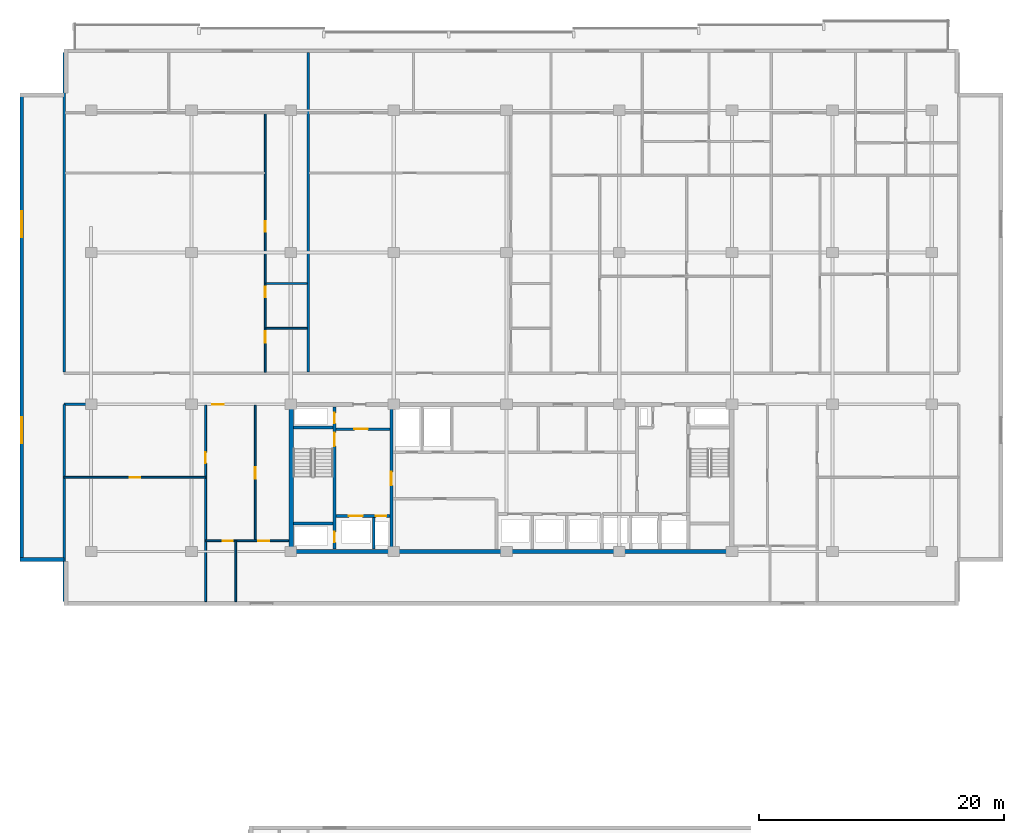
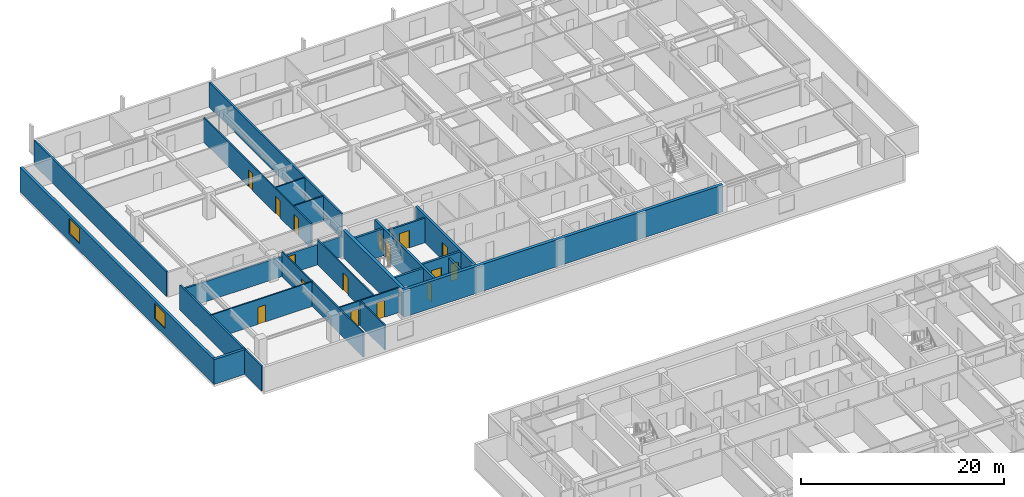
# One storey, part 10 of 21: 23 walls, 16 doors, 2 windows, 18 openings.
"""IFC4 building model written with IfcOpenShell, lengths in metres."""

from ifc_helpers import new_model, si_unit, direction, frame, frame_2d, origin, place, context, subcontext, project, spatial, rectangle, extrude, material, layer, layer_set, type_object, element, fill, save


model = new_model("IFC4")

# Units and contexts
model_context = context("Model", 3, precision=1e-05, world=origin(), true_north=direction((0.0, 1.0)))
body_context = subcontext(model_context, "Body", "Model", "MODEL_VIEW")
ifc_project = project(units=[si_unit("LENGTHUNIT", "METRE"), si_unit("AREAUNIT", "SQUARE_METRE"), si_unit("VOLUMEUNIT", "CUBIC_METRE"), si_unit("PLANEANGLEUNIT", "RADIAN"), si_unit("MASSUNIT", "GRAM", prefix="KILO")], contexts=[model_context])

# Site, building, storey
site_placement = place(None, origin())
site = spatial("IfcSite", under=ifc_project, at=site_placement, CompositionType="ELEMENT")
building_placement = place(site_placement, origin())
building = spatial("IfcBuilding", under=site, at=building_placement, Name="Korimba Cascade Residences", CompositionType="ELEMENT")
storey_placement = place(building_placement, frame((0.0, 0.0, 116.550048828125)))
storey = spatial("IfcBuildingStorey", under=building, at=storey_placement, Name="L33", CompositionType="ELEMENT", Elevation=116.550048828125)

# Wall, openings, windows
ifc_material_1 = material(Name="Precast concrete C40/50", Category="concrete")
ifc_layer_1 = layer(ifc_material_1, 0.300048828125)
ifc_layer_set_1 = layer_set([ifc_layer_1], Name="Precast concrete C40/50")
wall_type_1 = type_object("IfcWallType", Name="EW-STONE-300", PredefinedType="STANDARD", material=ifc_layer_set_1)
wall_1_placement = place(storey_placement, frame((54.14990234375, 92.60009765625, 0.0), z_axis=(0.0, 0.0, 1.0), x_axis=(0.0, -1.0, 0.0)))
wall_1 = element("IfcWall", 1, at=wall_1_placement, inside=storey, type_object=wall_type_1, Name="L33 T1 Perimeter Stone Wall E09", PredefinedType="STANDARD", context=body_context, shape_type="SweptSolid", body=[
    extrude(rectangle(XDim=38.2001953125, YDim=0.300048828125, at=frame_2d((19.10009765625, 0.0))), origin(), (0.0, 0.0, 1.0), 2.969970703125),
])
opening_1_placement = place(wall_1_placement, frame((9.64599609375, 0.0, 0.85009765625)))
opening_1 = element("IfcOpeningElement", 2, at=opening_1_placement, cuts=wall_1, Name="Opening W-03", PredefinedType="OPENING", context=body_context, shape_type="SweptSolid", body=[
    extrude(rectangle(XDim=2.10009765625, YDim=1.85009765625, at=frame_2d((1.050048828125, 0.925048828125))), frame((0.0, 0.16015625, 0.0), z_axis=(0.0, -1.0, 0.0), x_axis=(1.0, 0.0, 0.0)), (0.0, 0.0, 1.0), 0.320068359375),
])
opening_2_placement = place(wall_1_placement, frame((26.4541015625, 0.0, 0.85009765625)))
opening_2 = element("IfcOpeningElement", 3, at=opening_2_placement, cuts=wall_1, Name="Opening W-03", PredefinedType="OPENING", context=body_context, shape_type="SweptSolid", body=[
    extrude(rectangle(XDim=2.10009765625, YDim=1.85009765625, at=frame_2d((1.050048828125, 0.925048828125))), frame((0.0, 0.16015625, 0.0), z_axis=(0.0, -1.0, 0.0), x_axis=(1.0, 0.0, 0.0)), (0.0, 0.0, 1.0), 0.320068359375),
])
ifc_material_2 = material(Name="Double-Glazed Aluminium Window", Category="aluminium")
window_type = type_object("IfcWindowType", Name="WIN-CRN-2100", PartitioningType="DOUBLE_PANEL_HORIZONTAL", PredefinedType="WINDOW", material=ifc_material_2)
window_1_placement = place(opening_1_placement, origin())
window_1 = element("IfcWindow", 4, at=window_1_placement, inside=storey, type_object=window_type, Name="L33 T1 End View Window 9.1", OverallHeight=1.85009765625, OverallWidth=2.10009765625, PartitioningType="DOUBLE_PANEL_HORIZONTAL", PredefinedType="WINDOW", context=body_context, shape_type="SweptSolid", body=[
    extrude(rectangle(XDim=2.10009765625, YDim=1.85009765625, at=frame_2d((1.050048828125, 0.925048828125))), frame((0.0, 0.030029296875, 0.0), z_axis=(0.0, -1.0, 0.0), x_axis=(1.0, 0.0, 0.0)), (0.0, 0.0, 1.0), 0.06005859375),
])
fill(opening_1, window_1)
window_2_placement = place(opening_2_placement, origin())
window_2 = element("IfcWindow", 5, at=window_2_placement, inside=storey, type_object=window_type, Name="L33 T1 End View Window 9.2", OverallHeight=1.85009765625, OverallWidth=2.10009765625, PartitioningType="DOUBLE_PANEL_HORIZONTAL", PredefinedType="WINDOW", context=body_context, shape_type="SweptSolid", body=[
    extrude(rectangle(XDim=2.10009765625, YDim=1.85009765625, at=frame_2d((1.050048828125, 0.925048828125))), frame((0.0, 0.030029296875, 0.0), z_axis=(0.0, -1.0, 0.0), x_axis=(1.0, 0.0, 0.0)), (0.0, 0.0, 1.0), 0.06005859375),
])
fill(opening_2, window_2)

# Walls
wall_2_placement = place(storey_placement, frame((54.0, 54.550048828125, 0.0), z_axis=(0.0, 0.0, 1.0), x_axis=(1.0, 0.0, 0.0)))
element("IfcWall", 6, at=wall_2_placement, inside=storey, type_object=wall_type_1, Name="L33 T1 Perimeter Stone Wall E10", PredefinedType="STANDARD", context=body_context, shape_type="SweptSolid", body=[
    extrude(rectangle(XDim=3.60009765625, YDim=0.300048828125, at=frame_2d((1.800048828125, 0.0))), origin(), (0.0, 0.0, 1.0), 2.969970703125),
])
ifc_material_3 = material(Name="Concrete C65/80", Category="concrete")
ifc_layer_2 = layer(ifc_material_3, 0.35009765625)
ifc_layer_set_2 = layer_set([ifc_layer_2], Name="Concrete C65/80")
wall_type_2 = type_object("IfcWallType", Name="WAL-CORE-350", PredefinedType="SHEAR", material=ifc_layer_set_2)
wall_3_placement = place(storey_placement, frame((75.949951171875, 55.199951171875, 0.0), z_axis=(0.0, 0.0, 1.0), x_axis=(1.0, 0.0, 0.0)))
element("IfcWall", 7, at=wall_3_placement, inside=storey, type_object=wall_type_2, Name="L33 Core Shear Wall CW-L33-T1-S", PredefinedType="SHEAR", context=body_context, shape_type="SweptSolid", body=[
    extrude(rectangle(XDim=36.300048828125, YDim=0.35009765625, at=frame_2d((18.14990234375, 0.0))), origin(), (0.0, 0.0, 1.0), 3.25),
])
wall_4_placement = place(storey_placement, frame((76.125, 55.375, 0.0), z_axis=(0.0, 0.0, 1.0), x_axis=(0.0, 1.0, 0.0)))
element("IfcWall", 8, at=wall_4_placement, inside=storey, type_object=wall_type_2, Name="L33 Core Shear Wall CW-L33-T1-W", PredefinedType="SHEAR", context=body_context, shape_type="SweptSolid", body=[
    extrude(rectangle(XDim=11.64990234375, YDim=0.35009765625, at=frame_2d((5.824951171875, 0.0))), origin(), (0.0, 0.0, 1.0), 3.25),
])
ifc_layer_3 = layer(ifc_material_1, 0.199951171875)
ifc_layer_set_3 = layer_set([ifc_layer_3], Name="Precast concrete C40/50")
wall_type_3 = type_object("IfcWallType", Name="WAL-IT-200", PredefinedType="PARTITIONING", material=ifc_layer_set_3)
wall_5_placement = place(storey_placement, frame((57.60009765625, 51.10009765625, 0.0), z_axis=(0.0, 0.0, 1.0), x_axis=(0.0, 1.0, 0.0)))
element("IfcWall", 9, at=wall_5_placement, inside=storey, type_object=wall_type_3, Name="L33 Partition Wall WAL-L33-T1-FW-WL", PredefinedType="PARTITIONING", context=body_context, shape_type="SweptSolid", body=[
    extrude(rectangle(XDim=16.099853515625, YDim=0.199951171875, at=frame_2d((8.0498046875, 0.0))), origin(), (0.0, 0.0, 1.0), 2.969970703125),
])

# Wall, opening, door
wall_6_placement = place(storey_placement, frame((57.60009765625, 67.199951171875, 0.0), z_axis=(0.0, 0.0, 1.0), x_axis=(1.0, 0.0, 0.0)))
wall_6 = element("IfcWall", 10, at=wall_6_placement, inside=storey, type_object=wall_type_3, Name="L33 Partition Wall WAL-L33-T1-FW-N", PredefinedType="PARTITIONING", context=body_context, shape_type="SweptSolid", body=[
    extrude(rectangle(XDim=18.349853515625, YDim=0.199951171875, at=frame_2d((9.1748046875, 0.0))), origin(), (0.0, 0.0, 1.0), 2.433349609375),
])
opening_3_placement = place(wall_6_placement, frame((12.07470703125, 0.0, 0.0)))
opening_3 = element("IfcOpeningElement", 11, at=opening_3_placement, cuts=wall_6, Name="Opening D-UN1", PredefinedType="OPENING", context=body_context, shape_type="SweptSolid", body=[
    extrude(rectangle(XDim=0.949951171875, YDim=2.14990234375, at=frame_2d((0.47509765625, 1.074951171875))), frame((0.0, 0.10986328125, 0.0), z_axis=(0.0, -1.0, 0.0), x_axis=(1.0, 0.0, 0.0)), (0.0, 0.0, 1.0), 0.219970703125),
])
ifc_material_4 = material(Name="Fire-Rated Hardwood Apartment Entrance Door", Category="wood")
door_type_1 = type_object("IfcDoorType", Name="DR-FD60-950", OperationType="NOTDEFINED", PredefinedType="DOOR", material=ifc_material_4)
door_1_placement = place(opening_3_placement, origin())
door_1 = element("IfcDoor", 12, at=door_1_placement, inside=storey, type_object=door_type_1, Name="L33-T1-FW Entrance Door", OperationType="SINGLE_SWING_LEFT", OverallHeight=2.14990234375, OverallWidth=0.949951171875, PredefinedType="DOOR", context=body_context, shape_type="SweptSolid", body=[
    extrude(rectangle(XDim=0.949951171875, YDim=2.14990234375, at=frame_2d((0.47509765625, 1.074951171875))), frame((0.0, 0.02490234375, 0.0), z_axis=(0.0, -1.0, 0.0), x_axis=(1.0, 0.0, 0.0)), (0.0, 0.0, 1.0), 0.050048828125),
])
fill(opening_3, door_1)

# Walls
for number, where, z_axis, x_axis, name in (
    (13, (57.60009765625, 69.830078125, 0.0), (0.0, 0.0, 1.0), (0.0, 1.0, 0.0), "L33 Partition Wall WAL-L33-T1-BNDWL"),
    (14, (77.510498046875, 69.830078125, 0.0), (0.0, 0.0, 1.0), (0.0, 1.0, 0.0), "L33 Partition Wall WAL-L33-T1-DEM-1"),
):
    element("IfcWall", number, at=place(storey_placement, frame(where, z_axis=z_axis, x_axis=x_axis)), inside=storey, type_object=wall_type_3, Name=name, PredefinedType="PARTITIONING", context=body_context, shape_type="SweptSolid", body=[
        extrude(rectangle(XDim=26.06982421875, YDim=0.199951171875, at=frame_2d((13.034912109375, 0.0))), origin(), (0.0, 0.0, 1.0), 2.969970703125),
    ])

# Wall, opening, door
ifc_material_5 = material(Name="Insulated Acoustic Stud Partition", Category="gypsum")
ifc_layer_4 = layer(ifc_material_5, 0.14990234375)
ifc_layer_set_4 = layer_set([ifc_layer_4], Name="Insulated Acoustic Stud Partition")
wall_type_4 = type_object("IfcWallType", Name="WAL-PART-150", PredefinedType="PARTITIONING", material=ifc_layer_set_4)
wall_7_placement = place(storey_placement, frame((57.60009765625, 61.25, 0.0), z_axis=(0.0, 0.0, 1.0), x_axis=(1.0, 0.0, 0.0)))
wall_7 = element("IfcWall", 15, at=wall_7_placement, inside=storey, type_object=wall_type_4, Name="L33 Partition Wall WAL-L33-T1-FW-STH", PredefinedType="PARTITIONING", context=body_context, shape_type="SweptSolid", body=[
    extrude(rectangle(XDim=11.5498046875, YDim=0.14990234375, at=frame_2d((5.77490234375, 0.0))), origin(), (0.0, 0.0, 1.0), 2.969970703125),
])
opening_4_placement = place(wall_7_placement, frame((5.35498046875, 0.0, 0.0)))
opening_4 = element("IfcOpeningElement", 16, at=opening_4_placement, cuts=wall_7, Name="Opening D-BT1", PredefinedType="OPENING", context=body_context, shape_type="SweptSolid", body=[
    extrude(rectangle(XDim=0.840087890625, YDim=2.0400390625, at=frame_2d((0.419921875, 1.02001953125))), frame((0.0, 0.0849609375, 0.0), z_axis=(0.0, -1.0, 0.0), x_axis=(1.0, 0.0, 0.0)), (0.0, 0.0, 1.0), 0.169921875),
])
ifc_material_6 = material(Name="Moisture-Resistant Bathroom Timber Door", Category="wood")
door_type_2 = type_object("IfcDoorType", Name="DR-INT-850", OperationType="NOTDEFINED", PredefinedType="DOOR", material=ifc_material_6)
door_2_placement = place(opening_4_placement, origin())
door_2 = element("IfcDoor", 17, at=door_2_placement, inside=storey, type_object=door_type_2, Name="L33-T1-FW Dressing Store Door", OperationType="SINGLE_SWING_RIGHT", OverallHeight=2.0400390625, OverallWidth=0.840087890625, PredefinedType="DOOR", context=body_context, shape_type="SweptSolid", body=[
    extrude(rectangle(XDim=0.840087890625, YDim=2.0400390625, at=frame_2d((0.419921875, 1.02001953125))), frame((0.0, 0.02490234375, 0.0), z_axis=(0.0, -1.0, 0.0), x_axis=(1.0, 0.0, 0.0)), (0.0, 0.0, 1.0), 0.050048828125),
])
fill(opening_4, door_2)

wall_8_placement = place(storey_placement, frame((69.14990234375, 51.10009765625, 0.0), z_axis=(0.0, 0.0, 1.0), x_axis=(0.0, 1.0, 0.0)))
wall_8 = element("IfcWall", 18, at=wall_8_placement, inside=storey, type_object=wall_type_4, Name="L33 Partition Wall WAL-L33-T1-FW-STV", PredefinedType="PARTITIONING", context=body_context, shape_type="SweptSolid", body=[
    extrude(rectangle(XDim=16.0498046875, YDim=0.14990234375, at=frame_2d((8.02490234375, 0.0))), origin(), (0.0, 0.0, 1.0), 2.969970703125),
])
opening_5_placement = place(wall_8_placement, frame((11.300048828125, 0.0, 0.0)))
opening_5 = element("IfcOpeningElement", 19, at=opening_5_placement, cuts=wall_8, Name="Opening D-IN2", PredefinedType="OPENING", context=body_context, shape_type="SweptSolid", body=[
    extrude(rectangle(XDim=0.8798828125, YDim=2.06005859375, at=frame_2d((0.43994140625, 1.030029296875))), frame((0.0, 0.0849609375, 0.0), z_axis=(0.0, -1.0, 0.0), x_axis=(1.0, 0.0, 0.0)), (0.0, 0.0, 1.0), 0.169921875),
])
ifc_material_7 = material(Name="Acoustic Timber Bedroom Door", Category="wood")
door_type_3 = type_object("IfcDoorType", Name="DR-INT-880", OperationType="NOTDEFINED", PredefinedType="DOOR", material=ifc_material_7)
door_3_placement = place(opening_5_placement, origin())
door_3 = element("IfcDoor", 20, at=door_3_placement, inside=storey, type_object=door_type_3, Name="L33-T1-FW Study Door", OperationType="SINGLE_SWING_LEFT", OverallHeight=2.06005859375, OverallWidth=0.8798828125, PredefinedType="DOOR", context=body_context, shape_type="SweptSolid", body=[
    extrude(rectangle(XDim=0.8798828125, YDim=2.06005859375, at=frame_2d((0.43994140625, 1.030029296875))), frame((0.0, 0.02490234375, 0.0), z_axis=(0.0, -1.0, 0.0), x_axis=(1.0, 0.0, 0.0)), (0.0, 0.0, 1.0), 0.050048828125),
])
fill(opening_5, door_3)

wall_9_placement = place(storey_placement, frame((73.199951171875, 56.070068359375, 0.0), z_axis=(0.0, 0.0, 1.0), x_axis=(0.0, 1.0, 0.0)))
wall_9 = element("IfcWall", 21, at=wall_9_placement, inside=storey, type_object=wall_type_4, Name="L33 Partition Wall WAL-L33-T1-FW-VN", PredefinedType="PARTITIONING", context=body_context, shape_type="SweptSolid", body=[
    extrude(rectangle(XDim=11.079833984375, YDim=0.14990234375, at=frame_2d((5.5400390625, 0.0))), origin(), (0.0, 0.0, 1.0), 2.969970703125),
])
opening_6_placement = place(wall_9_placement, frame((5.080078125, 0.0, 0.0)))
opening_6 = element("IfcOpeningElement", 22, at=opening_6_placement, cuts=wall_9, Name="Opening D-IN1", PredefinedType="OPENING", context=body_context, shape_type="SweptSolid", body=[
    extrude(rectangle(XDim=0.919921875, YDim=2.080078125, at=frame_2d((0.4599609375, 1.0400390625))), frame((0.0, 0.0849609375, 0.0), z_axis=(0.0, -1.0, 0.0), x_axis=(1.0, 0.0, 0.0)), (0.0, 0.0, 1.0), 0.169921875),
])
ifc_material_8 = material(Name="Acoustic Timber Living Door", Category="wood")
door_type_4 = type_object("IfcDoorType", Name="DR-INT-920", OperationType="NOTDEFINED", PredefinedType="DOOR", material=ifc_material_8)
door_4_placement = place(opening_6_placement, origin())
door_4 = element("IfcDoor", 23, at=door_4_placement, inside=storey, type_object=door_type_4, Name="L33-T1-FW Living Door", OperationType="SINGLE_SWING_RIGHT", OverallHeight=2.080078125, OverallWidth=0.919921875, PredefinedType="DOOR", context=body_context, shape_type="SweptSolid", body=[
    extrude(rectangle(XDim=0.919921875, YDim=2.080078125, at=frame_2d((0.4599609375, 1.0400390625))), frame((0.0, 0.02490234375, 0.0), z_axis=(0.0, -1.0, 0.0), x_axis=(1.0, 0.0, 0.0)), (0.0, 0.0, 1.0), 0.050048828125),
])
fill(opening_6, door_4)

# Wall
wall_10_placement = place(storey_placement, frame((71.60009765625, 51.10009765625, 0.0), z_axis=(0.0, 0.0, 1.0), x_axis=(0.0, 1.0, 0.0)))
element("IfcWall", 24, at=wall_10_placement, inside=storey, type_object=wall_type_4, Name="L33 Partition Wall WAL-L33-T1-FW-VS", PredefinedType="PARTITIONING", context=body_context, shape_type="SweptSolid", body=[
    extrude(rectangle(XDim=4.969970703125, YDim=0.14990234375, at=frame_2d((2.48486328125, 0.0))), origin(), (0.0, 0.0, 1.0), 2.969970703125),
])

# Wall, openings, doors
wall_11_placement = place(storey_placement, frame((69.169921875, 56.070068359375, 0.0), z_axis=(0.0, 0.0, 1.0), x_axis=(1.0, 0.0, 0.0)))
wall_11 = element("IfcWall", 25, at=wall_11_placement, inside=storey, type_object=wall_type_4, Name="L33 Partition Wall WAL-L33-T1-FW-H", PredefinedType="PARTITIONING", context=body_context, shape_type="SweptSolid", body=[
    extrude(rectangle(XDim=6.760009765625, YDim=0.14990234375, at=frame_2d((3.3798828125, 0.0))), origin(), (0.0, 0.0, 1.0), 2.969970703125),
])
opening_7_placement = place(wall_11_placement, frame((1.3623046875, 0.0, 0.0)))
opening_7 = element("IfcOpeningElement", 26, at=opening_7_placement, cuts=wall_11, Name="Opening D-BT1", PredefinedType="OPENING", context=body_context, shape_type="SweptSolid", body=[
    extrude(rectangle(XDim=0.840087890625, YDim=2.0400390625, at=frame_2d((0.419921875, 1.02001953125))), frame((0.0, 0.0849609375, 0.0), z_axis=(0.0, -1.0, 0.0), x_axis=(1.0, 0.0, 0.0)), (0.0, 0.0, 1.0), 0.169921875),
])
opening_8_placement = place(wall_11_placement, frame((4.276611328125, 0.0, 0.0)))
opening_8 = element("IfcOpeningElement", 27, at=opening_8_placement, cuts=wall_11, Name="Opening D-IN2", PredefinedType="OPENING", context=body_context, shape_type="SweptSolid", body=[
    extrude(rectangle(XDim=0.8798828125, YDim=2.06005859375, at=frame_2d((0.43994140625, 1.030029296875))), frame((0.0, 0.0849609375, 0.0), z_axis=(0.0, -1.0, 0.0), x_axis=(1.0, 0.0, 0.0)), (0.0, 0.0, 1.0), 0.169921875),
])
door_5_placement = place(opening_7_placement, origin())
door_5 = element("IfcDoor", 28, at=door_5_placement, inside=storey, type_object=door_type_2, Name="L33-T1-FW Bathroom Door", OperationType="SINGLE_SWING_LEFT", OverallHeight=2.0400390625, OverallWidth=0.840087890625, PredefinedType="DOOR", context=body_context, shape_type="SweptSolid", body=[
    extrude(rectangle(XDim=0.840087890625, YDim=2.0400390625, at=frame_2d((0.419921875, 1.02001953125))), frame((0.0, 0.02490234375, 0.0), z_axis=(0.0, -1.0, 0.0), x_axis=(1.0, 0.0, 0.0)), (0.0, 0.0, 1.0), 0.050048828125),
])
fill(opening_7, door_5)
door_6_placement = place(opening_8_placement, origin())
door_6 = element("IfcDoor", 29, at=door_6_placement, inside=storey, type_object=door_type_3, Name="L33-T1-FW Bedroom Door", OperationType="SINGLE_SWING_RIGHT", OverallHeight=2.06005859375, OverallWidth=0.8798828125, PredefinedType="DOOR", context=body_context, shape_type="SweptSolid", body=[
    extrude(rectangle(XDim=0.8798828125, YDim=2.06005859375, at=frame_2d((0.43994140625, 1.030029296875))), frame((0.0, 0.02490234375, 0.0), z_axis=(0.0, -1.0, 0.0), x_axis=(1.0, 0.0, 0.0)), (0.0, 0.0, 1.0), 0.050048828125),
])
fill(opening_8, door_6)

# Walls
for number, where, z_axis, x_axis, name in (
    (30, (74.070556640625, 73.419921875, 0.0), (0.0, 0.0, 1.0), (1.0, 0.0, 0.0), "L33 Partition Wall WAL-L33-T1-U01-WCH"),
    (31, (74.070556640625, 77.070068359375, 0.0), (0.0, 0.0, 1.0), (1.0, 0.0, 0.0), "L33 Partition Wall WAL-L33-T1-U01-WCH2"),
):
    element("IfcWall", number, at=place(storey_placement, frame(where, z_axis=z_axis, x_axis=x_axis)), inside=storey, type_object=wall_type_4, Name=name, PredefinedType="PARTITIONING", context=body_context, shape_type="SweptSolid", body=[
        extrude(rectangle(XDim=3.35986328125, YDim=0.14990234375, at=frame_2d((1.679931640625, 0.0))), origin(), (0.0, 0.0, 1.0), 2.969970703125),
    ])

# Wall, openings, doors
wall_12_placement = place(storey_placement, frame((74.010498046875, 69.81005859375, 0.0), z_axis=(0.0, 0.0, 1.0), x_axis=(0.0, 1.0, 0.0)))
wall_12 = element("IfcWall", 32, at=wall_12_placement, inside=storey, type_object=wall_type_4, Name="L33 Partition Wall WAL-L33-T1-U01-WCV", PredefinedType="PARTITIONING", context=body_context, shape_type="SweptSolid", body=[
    extrude(rectangle(XDim=21.1298828125, YDim=0.14990234375, at=frame_2d((10.56494140625, 0.0))), origin(), (0.0, 0.0, 1.0), 2.969970703125),
])
opening_9_placement = place(wall_12_placement, frame((2.406005859375, 0.0, 0.0)))
opening_9 = element("IfcOpeningElement", 33, at=opening_9_placement, cuts=wall_12, Name="Opening D-AC1", PredefinedType="OPENING", context=body_context, shape_type="SweptSolid", body=[
    extrude(rectangle(XDim=0.9599609375, YDim=2.10009765625, at=frame_2d((0.47998046875, 1.050048828125))), frame((0.0, 0.0849609375, 0.0), z_axis=(0.0, -1.0, 0.0), x_axis=(1.0, 0.0, 0.0)), (0.0, 0.0, 1.0), 0.169921875),
])
opening_10_placement = place(wall_12_placement, frame((6.132568359375, 0.0, 0.0)))
opening_10 = element("IfcOpeningElement", 34, at=opening_10_placement, cuts=wall_12, Name="Opening D-IN2", PredefinedType="OPENING", context=body_context, shape_type="SweptSolid", body=[
    extrude(rectangle(XDim=0.8798828125, YDim=2.06005859375, at=frame_2d((0.43994140625, 1.030029296875))), frame((0.0, 0.0849609375, 0.0), z_axis=(0.0, -1.0, 0.0), x_axis=(1.0, 0.0, 0.0)), (0.0, 0.0, 1.0), 0.169921875),
])
opening_11_placement = place(wall_12_placement, frame((11.482421875, 0.0, 0.0)))
opening_11 = element("IfcOpeningElement", 35, at=opening_11_placement, cuts=wall_12, Name="Opening D-BT1", PredefinedType="OPENING", context=body_context, shape_type="SweptSolid", body=[
    extrude(rectangle(XDim=0.840087890625, YDim=2.0400390625, at=frame_2d((0.419921875, 1.02001953125))), frame((0.0, 0.0849609375, 0.0), z_axis=(0.0, -1.0, 0.0), x_axis=(1.0, 0.0, 0.0)), (0.0, 0.0, 1.0), 0.169921875),
])
ifc_material_9 = material(Name="Accessible Acoustic Timber WC Door", Category="wood")
door_type_5 = type_object("IfcDoorType", Name="DR-ACC-950", OperationType="NOTDEFINED", PredefinedType="DOOR", material=ifc_material_9)
door_7_placement = place(opening_9_placement, origin())
door_7 = element("IfcDoor", 36, at=door_7_placement, inside=storey, type_object=door_type_5, Name="L33-T1-U01 Accessible WC Door", OperationType="SINGLE_SWING_LEFT", OverallHeight=2.10009765625, OverallWidth=0.9599609375, PredefinedType="DOOR", context=body_context, shape_type="SweptSolid", body=[
    extrude(rectangle(XDim=0.9599609375, YDim=2.10009765625, at=frame_2d((0.47998046875, 1.050048828125))), frame((0.0, 0.02490234375, 0.0), z_axis=(0.0, -1.0, 0.0), x_axis=(1.0, 0.0, 0.0)), (0.0, 0.0, 1.0), 0.050048828125),
])
fill(opening_9, door_7)
door_8_placement = place(opening_11_placement, origin())
door_8 = element("IfcDoor", 37, at=door_8_placement, inside=storey, type_object=door_type_2, Name="L33-T1-U01 Suite Store Door", OperationType="SINGLE_SWING_LEFT", OverallHeight=2.0400390625, OverallWidth=0.840087890625, PredefinedType="DOOR", context=body_context, shape_type="SweptSolid", body=[
    extrude(rectangle(XDim=0.840087890625, YDim=2.0400390625, at=frame_2d((0.419921875, 1.02001953125))), frame((0.0, 0.02490234375, 0.0), z_axis=(0.0, -1.0, 0.0), x_axis=(1.0, 0.0, 0.0)), (0.0, 0.0, 1.0), 0.050048828125),
])
fill(opening_11, door_8)
door_9_placement = place(opening_10_placement, origin())
door_9 = element("IfcDoor", 38, at=door_9_placement, inside=storey, type_object=door_type_3, Name="L33-T1-U01 Restroom WC Door", OperationType="SINGLE_SWING_RIGHT", OverallHeight=2.06005859375, OverallWidth=0.8798828125, PredefinedType="DOOR", context=body_context, shape_type="SweptSolid", body=[
    extrude(rectangle(XDim=0.8798828125, YDim=2.06005859375, at=frame_2d((0.43994140625, 1.030029296875))), frame((0.0, 0.02490234375, 0.0), z_axis=(0.0, -1.0, 0.0), x_axis=(1.0, 0.0, 0.0)), (0.0, 0.0, 1.0), 0.050048828125),
])
fill(opening_10, door_9)

# Wall
ifc_material_10 = material(Name="Concrete C40/50", Category="concrete")
ifc_layer_5 = layer(ifc_material_10, 0.199951171875)
ifc_layer_set_5 = layer_set([ifc_layer_5], Name="Concrete C40/50")
wall_type_5 = type_object("IfcWallType", Name="WAL-PART-200", PredefinedType="PARTITIONING", material=ifc_layer_set_5)
wall_13_placement = place(storey_placement, frame((82.85009765625, 55.39990234375, 0.0), z_axis=(0.0, 0.0, 1.0), x_axis=(0.0, 1.0, 0.0)))
element("IfcWall", 39, at=wall_13_placement, inside=storey, type_object=wall_type_5, Name="L33 Partition Wall CW-L33-T1-FFLDIV", PredefinedType="PARTITIONING", context=body_context, shape_type="SweptSolid", body=[
    extrude(rectangle(XDim=2.56005859375, YDim=0.199951171875, at=frame_2d((1.280029296875, 0.0))), origin(), (0.0, 0.0, 1.0), 2.969970703125),
])

# Wall, opening, door
wall_14_placement = place(storey_placement, frame((79.7900390625, 65.179931640625, 0.0), z_axis=(0.0, 0.0, 1.0), x_axis=(1.0, 0.0, 0.0)))
wall_14 = element("IfcWall", 40, at=wall_14_placement, inside=storey, type_object=wall_type_5, Name="L33 Partition Wall CW-L33-T1-FFLN", PredefinedType="PARTITIONING", context=body_context, shape_type="SweptSolid", body=[
    extrude(rectangle(XDim=4.389892578125, YDim=0.199951171875, at=frame_2d((2.19482421875, 0.0))), origin(), (0.0, 0.0, 1.0), 2.969970703125),
])
opening_12_placement = place(wall_14_placement, frame((1.5, 0.0, 0.0)))
opening_12 = element("IfcOpeningElement", 41, at=opening_12_placement, cuts=wall_14, Name="Opening D-FD1", PredefinedType="OPENING", context=body_context, shape_type="SweptSolid", body=[
    extrude(rectangle(XDim=1.10009765625, YDim=2.10009765625, at=frame_2d((0.550048828125, 1.050048828125))), frame((0.0, 0.10986328125, 0.0), z_axis=(0.0, -1.0, 0.0), x_axis=(1.0, 0.0, 0.0)), (0.0, 0.0, 1.0), 0.219970703125),
])
ifc_material_11 = material(Name="Fire-Rated Steel Core Door", Category="steel")
door_type_6 = type_object("IfcDoorType", Name="DR-FD120-1100", OperationType="NOTDEFINED", PredefinedType="DOOR", material=ifc_material_11)
door_10_placement = place(opening_12_placement, origin())
door_10 = element("IfcDoor", 42, at=door_10_placement, inside=storey, type_object=door_type_6, Name="L33 West Firefighting Lobby Door", OperationType="SINGLE_SWING_LEFT", OverallHeight=2.10009765625, OverallWidth=1.10009765625, PredefinedType="DOOR", context=body_context, shape_type="SweptSolid", body=[
    extrude(rectangle(XDim=1.10009765625, YDim=2.10009765625, at=frame_2d((0.550048828125, 1.050048828125))), frame((0.0, 0.02490234375, 0.0), z_axis=(0.0, -1.0, 0.0), x_axis=(1.0, 0.0, 0.0)), (0.0, 0.0, 1.0), 0.050048828125),
])
fill(opening_12, door_10)

# Wall, openings, doors
ifc_material_12 = material(Name="Concrete C50/60", Category="concrete")
ifc_layer_6 = layer(ifc_material_12, 0.25)
ifc_layer_set_6 = layer_set([ifc_layer_6], Name="Concrete C50/60")
wall_type_6 = type_object("IfcWallType", Name="WAL-SHAFT-250", PredefinedType="SHEAR", material=ifc_layer_set_6)
wall_15_placement = place(storey_placement, frame((79.6650390625, 55.39990234375, 0.0), z_axis=(0.0, 0.0, 1.0), x_axis=(0.0, 1.0, 0.0)))
wall_15 = element("IfcWall", 43, at=wall_15_placement, inside=storey, type_object=wall_type_6, Name="L33 Core Shear Wall CW-L33-T1-STW1E", PredefinedType="SHEAR", context=body_context, shape_type="SweptSolid", body=[
    extrude(rectangle(XDim=11.60009765625, YDim=0.25, at=frame_2d((5.800048828125, 0.0))), origin(), (0.0, 0.0, 1.0), 3.25),
])
opening_13_placement = place(wall_15_placement, frame((0.550048828125, 0.0, 0.0)))
opening_13 = element("IfcOpeningElement", 44, at=opening_13_placement, cuts=wall_15, Name="Opening D-RS1", PredefinedType="OPENING", context=body_context, shape_type="SweptSolid", body=[
    extrude(rectangle(XDim=0.85009765625, YDim=2.050048828125, at=frame_2d((0.425048828125, 1.02490234375))), frame((0.0, 0.135009765625, 0.0), z_axis=(0.0, -1.0, 0.0), x_axis=(1.0, 0.0, 0.0)), (0.0, 0.0, 1.0), 0.27001953125),
])
opening_14_placement = place(wall_15_placement, frame((8.39990234375, 0.0, 0.0)))
opening_14 = element("IfcOpeningElement", 45, at=opening_14_placement, cuts=wall_15, Name="Opening D-FD1", PredefinedType="OPENING", context=body_context, shape_type="SweptSolid", body=[
    extrude(rectangle(XDim=1.10009765625, YDim=2.10009765625, at=frame_2d((0.550048828125, 1.050048828125))), frame((0.0, 0.135009765625, 0.0), z_axis=(0.0, -1.0, 0.0), x_axis=(1.0, 0.0, 0.0)), (0.0, 0.0, 1.0), 0.27001953125),
])
opening_15_placement = place(wall_15_placement, frame((10.25, 0.0, 0.0)))
opening_15 = element("IfcOpeningElement", 46, at=opening_15_placement, cuts=wall_15, Name="Opening D-RS1", PredefinedType="OPENING", context=body_context, shape_type="SweptSolid", body=[
    extrude(rectangle(XDim=0.85009765625, YDim=2.050048828125, at=frame_2d((0.425048828125, 1.02490234375))), frame((0.0, 0.135009765625, 0.0), z_axis=(0.0, -1.0, 0.0), x_axis=(1.0, 0.0, 0.0)), (0.0, 0.0, 1.0), 0.27001953125),
])
door_11_placement = place(opening_14_placement, origin())
door_11 = element("IfcDoor", 47, at=door_11_placement, inside=storey, type_object=door_type_6, Name="L33 Fire Stair ST-W1 Door", OperationType="SINGLE_SWING_RIGHT", OverallHeight=2.10009765625, OverallWidth=1.10009765625, PredefinedType="DOOR", context=body_context, shape_type="SweptSolid", body=[
    extrude(rectangle(XDim=1.10009765625, YDim=2.10009765625, at=frame_2d((0.550048828125, 1.050048828125))), frame((0.0, 0.02490234375, 0.0), z_axis=(0.0, -1.0, 0.0), x_axis=(1.0, 0.0, 0.0)), (0.0, 0.0, 1.0), 0.050048828125),
])
fill(opening_14, door_11)
ifc_material_13 = material(Name="Fire-Rated Steel Riser Access Door", Category="steel")
door_type_7 = type_object("IfcDoorType", Name="DR-FD60-850", OperationType="NOTDEFINED", PredefinedType="DOOR", material=ifc_material_13)
door_12_placement = place(opening_13_placement, origin())
door_12 = element("IfcDoor", 48, at=door_12_placement, inside=storey, type_object=door_type_7, Name="L33 Smoke Riser Access Door", OperationType="SINGLE_SWING_LEFT", OverallHeight=2.050048828125, OverallWidth=0.85009765625, PredefinedType="DOOR", context=body_context, shape_type="SweptSolid", body=[
    extrude(rectangle(XDim=0.85009765625, YDim=2.050048828125, at=frame_2d((0.425048828125, 1.02490234375))), frame((0.0, 0.02490234375, 0.0), z_axis=(0.0, -1.0, 0.0), x_axis=(1.0, 0.0, 0.0)), (0.0, 0.0, 1.0), 0.050048828125),
])
fill(opening_13, door_12)
door_13_placement = place(opening_15_placement, origin())
door_13 = element("IfcDoor", 49, at=door_13_placement, inside=storey, type_object=door_type_7, Name="L33 Hydrant Riser Access Door", OperationType="SINGLE_SWING_LEFT", OverallHeight=2.050048828125, OverallWidth=0.85009765625, PredefinedType="DOOR", context=body_context, shape_type="SweptSolid", body=[
    extrude(rectangle(XDim=0.85009765625, YDim=2.050048828125, at=frame_2d((0.425048828125, 1.02490234375))), frame((0.0, 0.02490234375, 0.0), z_axis=(0.0, -1.0, 0.0), x_axis=(1.0, 0.0, 0.0)), (0.0, 0.0, 1.0), 0.050048828125),
])
fill(opening_15, door_13)

# Walls
for number, where, z_axis, x_axis, name in (
    (50, (76.300048828125, 57.47509765625, 0.0), (0.0, 0.0, 1.0), (1.0, 0.0, 0.0), "L33 Core Shear Wall CW-L33-T1-STW1S"),
    (51, (76.300048828125, 65.324951171875, 0.0), (0.0, 0.0, 1.0), (1.0, 0.0, 0.0), "L33 Core Shear Wall CW-L33-T1-STW1N"),
):
    element("IfcWall", number, at=place(storey_placement, frame(where, z_axis=z_axis, x_axis=x_axis)), inside=storey, type_object=wall_type_6, Name=name, PredefinedType="SHEAR", context=body_context, shape_type="SweptSolid", body=[
        extrude(rectangle(XDim=3.239990234375, YDim=0.25, at=frame_2d((1.6201171875, 0.0))), origin(), (0.0, 0.0, 1.0), 3.25),
    ])

# Wall, openings, doors
wall_16_placement = place(storey_placement, frame((79.7900390625, 58.10009765625, 0.0), z_axis=(0.0, 0.0, 1.0), x_axis=(1.0, 0.0, 0.0)))
wall_16 = element("IfcWall", 52, at=wall_16_placement, inside=storey, type_object=wall_type_6, Name="L33 Core Shear Wall CW-L33-T1-FFLS", PredefinedType="SHEAR", context=body_context, shape_type="SweptSolid", body=[
    extrude(rectangle(XDim=4.389892578125, YDim=0.25, at=frame_2d((2.19482421875, 0.0))), origin(), (0.0, 0.0, 1.0), 3.25),
])
opening_16_placement = place(wall_16_placement, frame((1.050048828125, 0.0, 0.0)))
opening_16 = element("IfcOpeningElement", 53, at=opening_16_placement, cuts=wall_16, Name="Opening LD-01", PredefinedType="OPENING", context=body_context, shape_type="SweptSolid", body=[
    extrude(rectangle(XDim=1.1201171875, YDim=2.1201171875, at=frame_2d((0.56005859375, 1.06005859375))), frame((0.0, 0.135009765625, 0.0), z_axis=(0.0, -1.0, 0.0), x_axis=(1.0, 0.0, 0.0)), (0.0, 0.0, 1.0), 0.27001953125),
])
opening_17_placement = place(wall_16_placement, frame((3.260009765625, 0.0, 0.0)))
opening_17 = element("IfcOpeningElement", 54, at=opening_17_placement, cuts=wall_16, Name="Opening D-RS1", PredefinedType="OPENING", context=body_context, shape_type="SweptSolid", body=[
    extrude(rectangle(XDim=0.85009765625, YDim=2.050048828125, at=frame_2d((0.425048828125, 1.02490234375))), frame((0.0, 0.135009765625, 0.0), z_axis=(0.0, -1.0, 0.0), x_axis=(1.0, 0.0, 0.0)), (0.0, 0.0, 1.0), 0.27001953125),
])
door_14_placement = place(opening_17_placement, origin())
door_14 = element("IfcDoor", 55, at=door_14_placement, inside=storey, type_object=door_type_7, Name="L33 Pressurisation Riser Door", OperationType="SINGLE_SWING_RIGHT", OverallHeight=2.050048828125, OverallWidth=0.85009765625, PredefinedType="DOOR", context=body_context, shape_type="SweptSolid", body=[
    extrude(rectangle(XDim=0.85009765625, YDim=2.050048828125, at=frame_2d((0.425048828125, 1.02490234375))), frame((0.0, 0.02490234375, 0.0), z_axis=(0.0, -1.0, 0.0), x_axis=(1.0, 0.0, 0.0)), (0.0, 0.0, 1.0), 0.050048828125),
])
fill(opening_17, door_14)
ifc_material_14 = material(Name="Stainless Steel Lift Landing Sliding Door", Category="steel")
door_type_8 = type_object("IfcDoorType", Name="DR-LIFT-1100", OperationType="NOTDEFINED", PredefinedType="DOOR", material=ifc_material_14)
door_15_placement = place(opening_16_placement, origin())
door_15 = element("IfcDoor", 56, at=door_15_placement, inside=storey, type_object=door_type_8, Name="L33 Firefighting Lift Landing Door FFL-W1", OperationType="SLIDING_TO_LEFT", OverallHeight=2.1201171875, OverallWidth=1.1201171875, PredefinedType="DOOR", context=body_context, shape_type="SweptSolid", body=[
    extrude(rectangle(XDim=1.1201171875, YDim=2.1201171875, at=frame_2d((0.56005859375, 1.06005859375))), frame((0.0, 0.02490234375, 0.0), z_axis=(0.0, -1.0, 0.0), x_axis=(1.0, 0.0, 0.0)), (0.0, 0.0, 1.0), 0.050048828125),
])
fill(opening_16, door_15)

# Wall, opening, door
wall_17_placement = place(storey_placement, frame((84.300048828125, 55.39990234375, 0.0), z_axis=(0.0, 0.0, 1.0), x_axis=(0.0, 1.0, 0.0)))
wall_17 = element("IfcWall", 57, at=wall_17_placement, inside=storey, type_object=wall_type_6, Name="L33 Core Shear Wall CW-L33-T1-FFLE", PredefinedType="SHEAR", context=body_context, shape_type="SweptSolid", body=[
    extrude(rectangle(XDim=11.60009765625, YDim=0.25, at=frame_2d((5.800048828125, 0.0))), origin(), (0.0, 0.0, 1.0), 3.25),
])
opening_18_placement = place(wall_17_placement, frame((5.199951171875, 0.0, 0.0)))
opening_18 = element("IfcOpeningElement", 58, at=opening_18_placement, cuts=wall_17, Name="Opening D-FD1", PredefinedType="OPENING", context=body_context, shape_type="SweptSolid", body=[
    extrude(rectangle(XDim=1.10009765625, YDim=2.10009765625, at=frame_2d((0.550048828125, 1.050048828125))), frame((0.0, 0.135009765625, 0.0), z_axis=(0.0, -1.0, 0.0), x_axis=(1.0, 0.0, 0.0)), (0.0, 0.0, 1.0), 0.27001953125),
])
door_16_placement = place(opening_18_placement, origin())
door_16 = element("IfcDoor", 59, at=door_16_placement, inside=storey, type_object=door_type_6, Name="L33 Firefighting Lobby to Lift Lobby Door", OperationType="SINGLE_SWING_RIGHT", OverallHeight=2.10009765625, OverallWidth=1.10009765625, PredefinedType="DOOR", context=body_context, shape_type="SweptSolid", body=[
    extrude(rectangle(XDim=1.10009765625, YDim=2.10009765625, at=frame_2d((0.550048828125, 1.050048828125))), frame((0.0, 0.02490234375, 0.0), z_axis=(0.0, -1.0, 0.0), x_axis=(1.0, 0.0, 0.0)), (0.0, 0.0, 1.0), 0.050048828125),
])
fill(opening_18, door_16)

save(model, "model.ifc")
